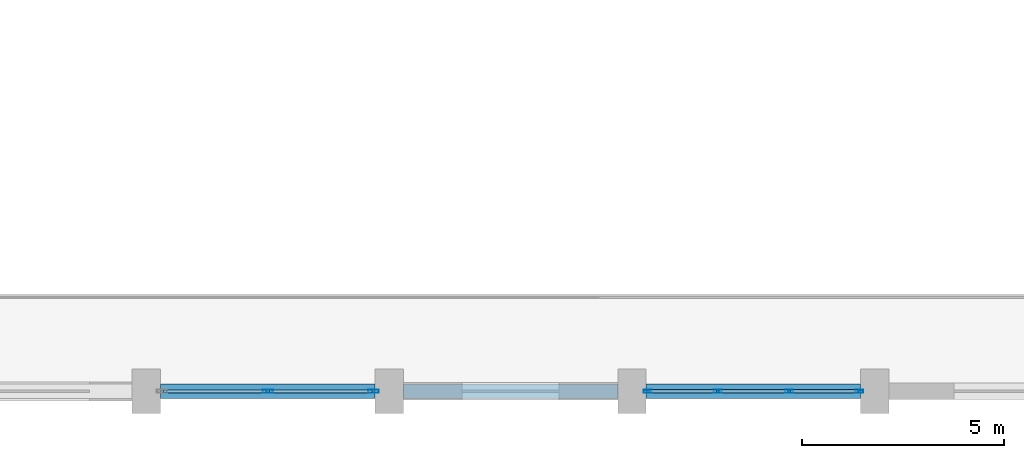
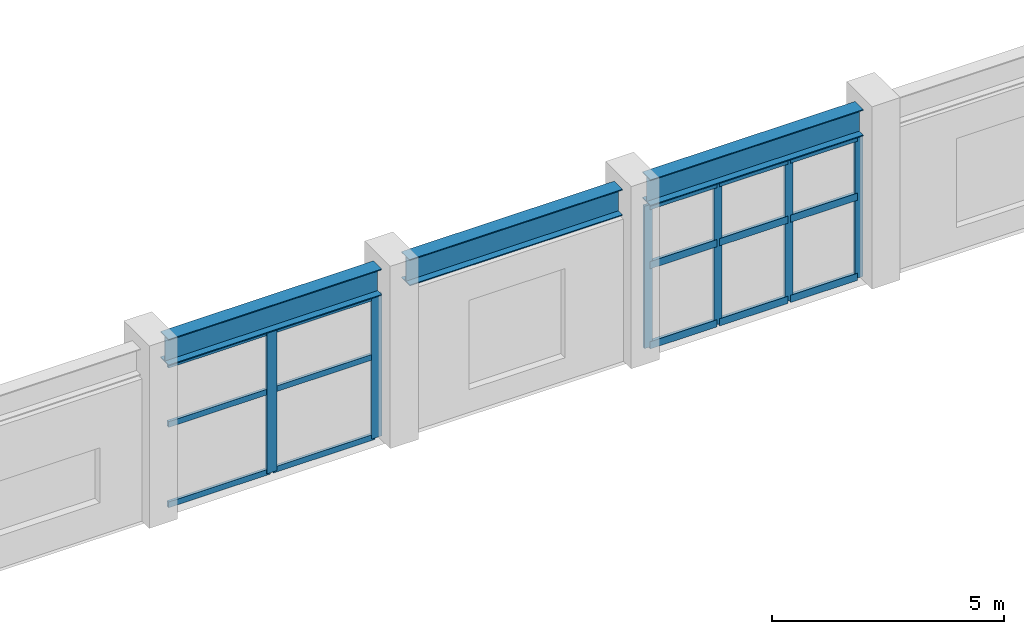
# One storey, part 12 of 62: 21 members, 3 beams, 2 elements without a shape of their own.
"""IFC4 building model written with IfcOpenShell, lengths in metres."""

from ifc_helpers import new_model, si_unit, direction, frame, origin, origin_2d, place, context, subcontext, project, spatial, hollow_rectangle, i_section, extrude, material, layer, layer_set, material_profile, profile_set, type_object, element, aggregate, save


model = new_model("IFC4")

# Units and contexts
model_context = context("Model", 3, precision=1e-05, world=origin(), true_north=direction((0.0, 1.0)))
body_context = subcontext(model_context, "Body", "Model", "MODEL_VIEW")
ifc_project = project(units=[si_unit("LENGTHUNIT", "METRE"), si_unit("AREAUNIT", "SQUARE_METRE"), si_unit("VOLUMEUNIT", "CUBIC_METRE"), si_unit("PLANEANGLEUNIT", "RADIAN"), si_unit("MASSUNIT", "GRAM", prefix="KILO")], contexts=[model_context])

# Site, building, storey
site_placement = place(None, origin())
site = spatial("IfcSite", under=ifc_project, at=site_placement, CompositionType="ELEMENT")
building_placement = place(site_placement, origin())
building = spatial("IfcBuilding", under=site, at=building_placement, Name="Vaelkrest Opera House", CompositionType="ELEMENT")
storey_placement = place(building_placement, frame((0.0, 0.0, 19.800048828125)))
storey = spatial("IfcBuildingStorey", under=building, at=storey_placement, Name="L04", CompositionType="ELEMENT", Elevation=19.800048828125)

# Curtain wall, members
ifc_material_1 = material(Name="Dark bronze anodized aluminium", Category="aluminium")
ifc_layer_1 = layer(ifc_material_1, 0.22998046875)
ifc_layer_set_1 = layer_set([ifc_layer_1], Name="Dark bronze anodized aluminium")
curtain_wall_type_1 = type_object("IfcCurtainWallType", Name="CW06", PredefinedType="NOTDEFINED", material=ifc_layer_set_1)
curtain_wall_1_placement = place(storey_placement, origin())
curtain_wall_1 = element("IfcCurtainWall", 1, at=curtain_wall_1_placement, inside=storey, type_object=curtain_wall_type_1, Name="Curtain wall CW-L04-057", PredefinedType="NOTDEFINED")
ifc_material_profile_1 = material_profile(ifc_material_1, hollow_rectangle(XDim=0.070068359375, YDim=0.199951171875, WallThickness=0.004150390625, at=origin_2d()), Name="CWM70X200")
ifc_profile_set_1 = profile_set([ifc_material_profile_1], Name="Dark bronze anodized aluminium")
member_type_1 = type_object("IfcMemberType", Name="CWM02", PredefinedType="MULLION", material=ifc_profile_set_1)
member_1_placement = place(storey_placement, frame((5.616943359375, -55.800048828125, 0.0), z_axis=(0.0, 0.0, 1.0), x_axis=(0.0, -1.0, 0.0)))
member_1 = element("IfcMember", 2, at=member_1_placement, type_object=member_type_1, Name="CW06 mullion 1", PredefinedType="MULLION", context=body_context, shape_type="SweptSolid", body=[
    extrude(hollow_rectangle(XDim=0.070068359375, YDim=0.199951171875, WallThickness=0.004150390625, at=origin_2d()), origin(), (0.0, 0.0, 1.0), 3.744873046875),
])
member_2_placement = place(storey_placement, frame((3.884033203125, -55.800048828125, 0.0), z_axis=(0.0, 0.0, 1.0), x_axis=(0.0, -1.0, 0.0)))
member_2 = element("IfcMember", 3, at=member_2_placement, type_object=member_type_1, Name="CW06 mullion 2", PredefinedType="MULLION", context=body_context, shape_type="SweptSolid", body=[
    extrude(hollow_rectangle(XDim=0.070068359375, YDim=0.199951171875, WallThickness=0.004150390625, at=origin_2d()), origin(), (0.0, 0.0, 1.0), 3.744873046875),
])
member_3_placement = place(storey_placement, frame((2.115966796875, -55.800048828125, 0.0), z_axis=(0.0, 0.0, 1.0), x_axis=(0.0, -1.0, 0.0)))
member_3 = element("IfcMember", 4, at=member_3_placement, type_object=member_type_1, Name="CW06 mullion 3", PredefinedType="MULLION", context=body_context, shape_type="SweptSolid", body=[
    extrude(hollow_rectangle(XDim=0.070068359375, YDim=0.199951171875, WallThickness=0.004150390625, at=origin_2d()), origin(), (0.0, 0.0, 1.0), 3.744873046875),
])
member_4_placement = place(storey_placement, frame((0.383056640625, -55.800048828125, 0.0), z_axis=(0.0, 0.0, 1.0), x_axis=(0.0, -1.0, 0.0)))
member_4 = element("IfcMember", 5, at=member_4_placement, type_object=member_type_1, Name="CW06 mullion 4", PredefinedType="MULLION", context=body_context, shape_type="SweptSolid", body=[
    extrude(hollow_rectangle(XDim=0.070068359375, YDim=0.199951171875, WallThickness=0.004150390625, at=origin_2d()), origin(), (0.0, 0.0, 1.0), 3.744873046875),
])

ifc_layer_2 = layer(ifc_material_1, 0.25)
ifc_layer_set_2 = layer_set([ifc_layer_2], Name="Dark bronze anodized aluminium")
curtain_wall_type_2 = type_object("IfcCurtainWallType", Name="CW08", PredefinedType="NOTDEFINED", material=ifc_layer_set_2)
curtain_wall_2_placement = place(storey_placement, origin())
curtain_wall_2 = element("IfcCurtainWall", 6, at=curtain_wall_2_placement, inside=storey, type_object=curtain_wall_type_2, Name="Curtain wall CW-L04-058", PredefinedType="NOTDEFINED")
ifc_material_profile_2 = material_profile(ifc_material_1, hollow_rectangle(XDim=0.080078125, YDim=0.260009765625, WallThickness=0.0048828125, at=origin_2d()), Name="CWM80X260")
ifc_profile_set_2 = profile_set([ifc_material_profile_2], Name="Dark bronze anodized aluminium")
member_type_2 = type_object("IfcMemberType", Name="CWM04", PredefinedType="MULLION", material=ifc_profile_set_2)
member_5_placement = place(storey_placement, frame((-6.387939453125, -55.800048828125, 0.0), z_axis=(0.0, 0.0, 1.0), x_axis=(0.0, -1.0, 0.0)))
member_5 = element("IfcMember", 7, at=member_5_placement, type_object=member_type_2, Name="CW08 mullion 1", PredefinedType="MULLION", context=body_context, shape_type="SweptSolid", body=[
    extrude(hollow_rectangle(XDim=0.080078125, YDim=0.260009765625, WallThickness=0.0048828125, at=origin_2d()), origin(), (0.0, 0.0, 1.0), 3.744873046875),
])
member_6_placement = place(storey_placement, frame((-9.0, -55.800048828125, 0.0), z_axis=(0.0, 0.0, 1.0), x_axis=(0.0, -1.0, 0.0)))
member_6 = element("IfcMember", 8, at=member_6_placement, type_object=member_type_2, Name="CW08 mullion 2", PredefinedType="MULLION", context=body_context, shape_type="SweptSolid", body=[
    extrude(hollow_rectangle(XDim=0.080078125, YDim=0.260009765625, WallThickness=0.0048828125, at=origin_2d()), origin(), (0.0, 0.0, 1.0), 3.744873046875),
])
ifc_material_profile_3 = material_profile(ifc_material_1, hollow_rectangle(XDim=0.070068359375, YDim=0.14990234375, WallThickness=0.004150390625, at=origin_2d()), Name="CWT70X150")
ifc_profile_set_3 = profile_set([ifc_material_profile_3], Name="Dark bronze anodized aluminium")
member_type_3 = type_object("IfcMemberType", Name="CWT02", PredefinedType="USERDEFINED", material=ifc_profile_set_3)
member_7_placement = place(storey_placement, frame((-6.427978515625, -55.800048828125, 0.034912109375), z_axis=(-1.0, 0.0, 0.0), x_axis=(0.0, -1.0, 0.0)))
member_7 = element("IfcMember", 9, at=member_7_placement, type_object=member_type_3, Name="CW08 transom 1.1", ObjectType="TRANSOM", PredefinedType="USERDEFINED", context=body_context, shape_type="SweptSolid", body=[
    extrude(hollow_rectangle(XDim=0.070068359375, YDim=0.14990234375, WallThickness=0.004150390625, at=origin_2d()), origin(), (0.0, 0.0, 1.0), 2.531982421875),
])
member_8_placement = place(storey_placement, frame((-6.427978515625, -55.800048828125, 2.14990234375), z_axis=(-1.0, 0.0, 0.0), x_axis=(0.0, -1.0, 0.0)))
member_8 = element("IfcMember", 10, at=member_8_placement, type_object=member_type_3, Name="CW08 transom 1.2", ObjectType="TRANSOM", PredefinedType="USERDEFINED", context=body_context, shape_type="SweptSolid", body=[
    extrude(hollow_rectangle(XDim=0.070068359375, YDim=0.14990234375, WallThickness=0.004150390625, at=origin_2d()), origin(), (0.0, 0.0, 1.0), 2.531982421875),
])
member_9_placement = place(storey_placement, frame((-6.427978515625, -55.800048828125, 3.7099609375), z_axis=(-1.0, 0.0, 0.0), x_axis=(0.0, -1.0, 0.0)))
member_9 = element("IfcMember", 11, at=member_9_placement, type_object=member_type_3, Name="CW08 transom 1.3", ObjectType="TRANSOM", PredefinedType="USERDEFINED", context=body_context, shape_type="SweptSolid", body=[
    extrude(hollow_rectangle(XDim=0.070068359375, YDim=0.14990234375, WallThickness=0.004150390625, at=origin_2d()), origin(), (0.0, 0.0, 1.0), 2.531982421875),
])
member_10_placement = place(storey_placement, frame((-9.0400390625, -55.800048828125, 0.034912109375), z_axis=(-1.0, 0.0, 0.0), x_axis=(0.0, -1.0, 0.0)))
member_10 = element("IfcMember", 12, at=member_10_placement, type_object=member_type_3, Name="CW08 transom 2.1", ObjectType="TRANSOM", PredefinedType="USERDEFINED", context=body_context, shape_type="SweptSolid", body=[
    extrude(hollow_rectangle(XDim=0.070068359375, YDim=0.14990234375, WallThickness=0.004150390625, at=origin_2d()), origin(), (0.0, 0.0, 1.0), 2.531982421875),
])
member_11_placement = place(storey_placement, frame((-9.0400390625, -55.800048828125, 2.14990234375), z_axis=(-1.0, 0.0, 0.0), x_axis=(0.0, -1.0, 0.0)))
member_11 = element("IfcMember", 13, at=member_11_placement, type_object=member_type_3, Name="CW08 transom 2.2", ObjectType="TRANSOM", PredefinedType="USERDEFINED", context=body_context, shape_type="SweptSolid", body=[
    extrude(hollow_rectangle(XDim=0.070068359375, YDim=0.14990234375, WallThickness=0.004150390625, at=origin_2d()), origin(), (0.0, 0.0, 1.0), 2.531982421875),
])
member_12_placement = place(storey_placement, frame((-9.0400390625, -55.800048828125, 3.7099609375), z_axis=(-1.0, 0.0, 0.0), x_axis=(0.0, -1.0, 0.0)))
member_12 = element("IfcMember", 14, at=member_12_placement, type_object=member_type_3, Name="CW08 transom 2.3", ObjectType="TRANSOM", PredefinedType="USERDEFINED", context=body_context, shape_type="SweptSolid", body=[
    extrude(hollow_rectangle(XDim=0.070068359375, YDim=0.14990234375, WallThickness=0.004150390625, at=origin_2d()), origin(), (0.0, 0.0, 1.0), 2.531982421875),
])
aggregate(curtain_wall_2, [member_5, member_6, member_7, member_8, member_9, member_10, member_11, member_12])

# Member
ifc_material_profile_4 = material_profile(ifc_material_1, hollow_rectangle(XDim=0.080078125, YDim=0.18994140625, WallThickness=0.0048828125, at=origin_2d()), Name="CWT80X190")
ifc_profile_set_4 = profile_set([ifc_material_profile_4], Name="Dark bronze anodized aluminium")
member_type_4 = type_object("IfcMemberType", Name="CWT04", PredefinedType="USERDEFINED", material=ifc_profile_set_4)
member_13_placement = place(storey_placement, frame((5.58203125, -55.800048828125, 0.0400390625), z_axis=(-1.0, 0.0, 0.0), x_axis=(0.0, -1.0, 0.0)))
member_13 = element("IfcMember", 15, at=member_13_placement, type_object=member_type_4, Name="CW06 transom 1.1", ObjectType="TRANSOM", PredefinedType="USERDEFINED", context=body_context, shape_type="SweptSolid", body=[
    extrude(hollow_rectangle(XDim=0.080078125, YDim=0.18994140625, WallThickness=0.0048828125, at=origin_2d()), origin(), (0.0, 0.0, 1.0), 1.6630859375),
])

member_14_placement = place(storey_placement, frame((5.58203125, -55.800048828125, 2.14990234375), z_axis=(-1.0, 0.0, 0.0), x_axis=(0.0, -1.0, 0.0)))
member_14 = element("IfcMember", 16, at=member_14_placement, type_object=member_type_4, Name="CW06 transom 1.2", ObjectType="TRANSOM", PredefinedType="USERDEFINED", context=body_context, shape_type="SweptSolid", body=[
    extrude(hollow_rectangle(XDim=0.080078125, YDim=0.18994140625, WallThickness=0.0048828125, at=origin_2d()), origin(), (0.0, 0.0, 1.0), 1.6630859375),
])

member_15_placement = place(storey_placement, frame((5.58203125, -55.800048828125, 3.704833984375), z_axis=(-1.0, 0.0, 0.0), x_axis=(0.0, -1.0, 0.0)))
member_15 = element("IfcMember", 17, at=member_15_placement, type_object=member_type_4, Name="CW06 transom 1.3", ObjectType="TRANSOM", PredefinedType="USERDEFINED", context=body_context, shape_type="SweptSolid", body=[
    extrude(hollow_rectangle(XDim=0.080078125, YDim=0.18994140625, WallThickness=0.0048828125, at=origin_2d()), origin(), (0.0, 0.0, 1.0), 1.6630859375),
])

member_16_placement = place(storey_placement, frame((3.84912109375, -55.800048828125, 0.0400390625), z_axis=(-1.0, 0.0, 0.0), x_axis=(0.0, -1.0, 0.0)))
member_16 = element("IfcMember", 18, at=member_16_placement, type_object=member_type_4, Name="CW06 transom 2.1", ObjectType="TRANSOM", PredefinedType="USERDEFINED", context=body_context, shape_type="SweptSolid", body=[
    extrude(hollow_rectangle(XDim=0.080078125, YDim=0.18994140625, WallThickness=0.0048828125, at=origin_2d()), origin(), (0.0, 0.0, 1.0), 1.6982421875),
])

member_17_placement = place(storey_placement, frame((3.84912109375, -55.800048828125, 2.14990234375), z_axis=(-1.0, 0.0, 0.0), x_axis=(0.0, -1.0, 0.0)))
member_17 = element("IfcMember", 19, at=member_17_placement, type_object=member_type_4, Name="CW06 transom 2.2", ObjectType="TRANSOM", PredefinedType="USERDEFINED", context=body_context, shape_type="SweptSolid", body=[
    extrude(hollow_rectangle(XDim=0.080078125, YDim=0.18994140625, WallThickness=0.0048828125, at=origin_2d()), origin(), (0.0, 0.0, 1.0), 1.6982421875),
])

member_18_placement = place(storey_placement, frame((3.84912109375, -55.800048828125, 3.704833984375), z_axis=(-1.0, 0.0, 0.0), x_axis=(0.0, -1.0, 0.0)))
member_18 = element("IfcMember", 20, at=member_18_placement, type_object=member_type_4, Name="CW06 transom 2.3", ObjectType="TRANSOM", PredefinedType="USERDEFINED", context=body_context, shape_type="SweptSolid", body=[
    extrude(hollow_rectangle(XDim=0.080078125, YDim=0.18994140625, WallThickness=0.0048828125, at=origin_2d()), origin(), (0.0, 0.0, 1.0), 1.6982421875),
])

member_19_placement = place(storey_placement, frame((2.0810546875, -55.800048828125, 0.0400390625), z_axis=(-1.0, 0.0, 0.0), x_axis=(0.0, -1.0, 0.0)))
member_19 = element("IfcMember", 21, at=member_19_placement, type_object=member_type_4, Name="CW06 transom 3.1", ObjectType="TRANSOM", PredefinedType="USERDEFINED", context=body_context, shape_type="SweptSolid", body=[
    extrude(hollow_rectangle(XDim=0.080078125, YDim=0.18994140625, WallThickness=0.0048828125, at=origin_2d()), origin(), (0.0, 0.0, 1.0), 1.6630859375),
])

member_20_placement = place(storey_placement, frame((2.0810546875, -55.800048828125, 2.14990234375), z_axis=(-1.0, 0.0, 0.0), x_axis=(0.0, -1.0, 0.0)))
member_20 = element("IfcMember", 22, at=member_20_placement, type_object=member_type_4, Name="CW06 transom 3.2", ObjectType="TRANSOM", PredefinedType="USERDEFINED", context=body_context, shape_type="SweptSolid", body=[
    extrude(hollow_rectangle(XDim=0.080078125, YDim=0.18994140625, WallThickness=0.0048828125, at=origin_2d()), origin(), (0.0, 0.0, 1.0), 1.6630859375),
])

member_21_placement = place(storey_placement, frame((2.0810546875, -55.800048828125, 3.704833984375), z_axis=(-1.0, 0.0, 0.0), x_axis=(0.0, -1.0, 0.0)))
member_21 = element("IfcMember", 23, at=member_21_placement, type_object=member_type_4, Name="CW06 transom 3.3", ObjectType="TRANSOM", PredefinedType="USERDEFINED", context=body_context, shape_type="SweptSolid", body=[
    extrude(hollow_rectangle(XDim=0.080078125, YDim=0.18994140625, WallThickness=0.0048828125, at=origin_2d()), origin(), (0.0, 0.0, 1.0), 1.6630859375),
])

aggregate(curtain_wall_1, [member_1, member_2, member_3, member_4, member_13, member_14, member_15, member_16, member_17, member_18, member_19, member_20, member_21])

# Beams
ifc_material_2 = material(Name="Steel A992 Gr50", Category="steel")
ifc_material_profile_5 = material_profile(ifc_material_2, i_section(OverallWidth=0.35498046875, OverallDepth=0.695068359375, WebThickness=0.015380859375, FlangeThickness=0.02490234375, at=origin_2d()), Name="W27X146")
ifc_profile_set_5 = profile_set([ifc_material_profile_5], Name="Steel A992 Gr50")
beam_type = type_object("IfcBeamType", Name="SP02", PredefinedType="SPANDREL", material=ifc_profile_set_5)
for number, where, z_axis, x_axis, name in (
    (24, (-11.64990234375, -55.800048828125, 4.157470703125), (1.0, 0.0, 0.0), (0.0, 1.0, 0.0), "Beam BM-V1-L04-0532"),
    (25, (-5.64990234375, -55.800048828125, 4.157470703125), (1.0, 0.0, 0.0), (0.0, 1.0, 0.0), "Beam BM-V1-L04-0533"),
    (26, (0.35009765625, -55.800048828125, 4.157470703125), (1.0, 0.0, 0.0), (0.0, 1.0, 0.0), "Beam BM-V1-L04-0534"),
):
    element("IfcBeam", number, at=place(storey_placement, frame(where, z_axis=z_axis, x_axis=x_axis)), inside=storey, type_object=beam_type, Name=name, PredefinedType="SPANDREL", context=body_context, shape_type="SweptSolid", body=[
        extrude(i_section(OverallWidth=0.35498046875, OverallDepth=0.695068359375, WebThickness=0.015380859375, FlangeThickness=0.02490234375, at=origin_2d()), origin(), (0.0, 0.0, 1.0), 5.2998046875),
    ])

save(model, "model.ifc")
